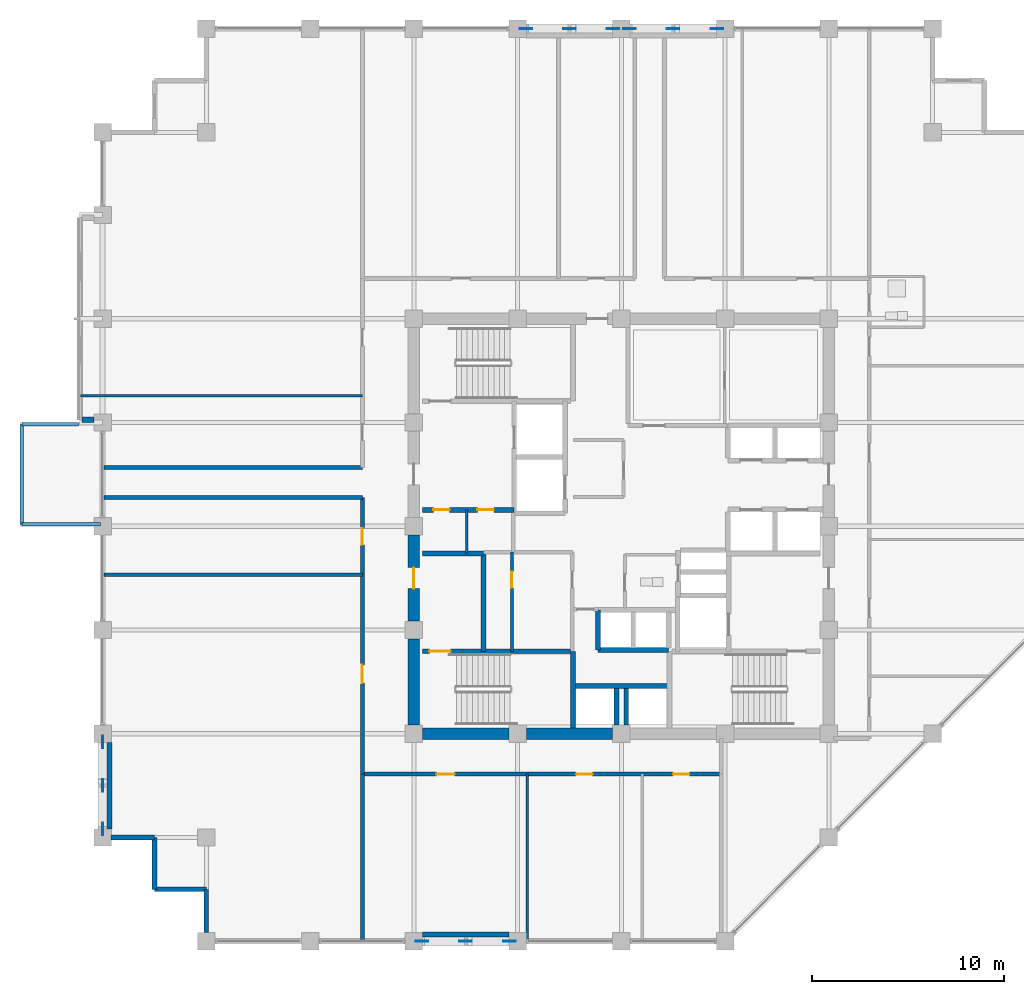
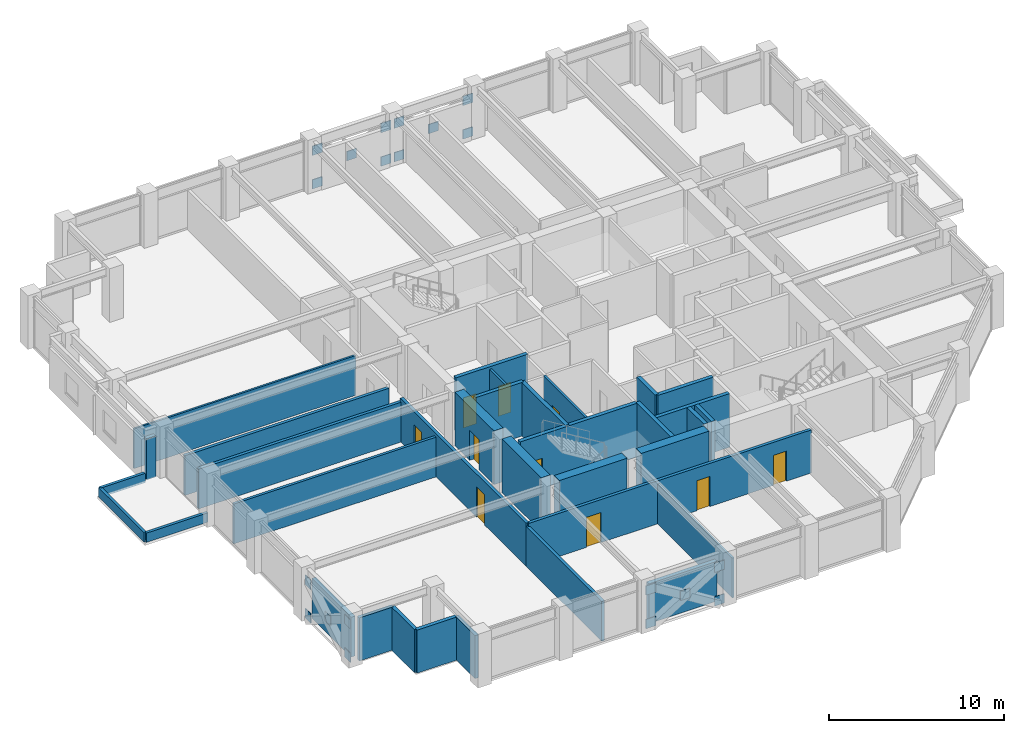
# One storey, part 22 of 28: 34 walls, 20 plates, 10 doors, 10 openings.
"""IFC4 building model written with IfcOpenShell, lengths in metres."""

from ifc_helpers import new_model, si_unit, direction, frame, frame_2d, origin, origin_2d, place, context, subcontext, project, spatial, rectangle, extrude, material, layer, layer_set, type_object, element, fill, save


model = new_model("IFC4")

# Units and contexts
model_context = context("Model", 3, precision=1e-05, world=origin(), true_north=direction((0.0, 1.0)))
body_context = subcontext(model_context, "Body", "Model", "MODEL_VIEW")
ifc_project = project(units=[si_unit("LENGTHUNIT", "METRE"), si_unit("AREAUNIT", "SQUARE_METRE"), si_unit("VOLUMEUNIT", "CUBIC_METRE"), si_unit("PLANEANGLEUNIT", "RADIAN"), si_unit("MASSUNIT", "GRAM", prefix="KILO")], contexts=[model_context])

# Site, building, storey
site_placement = place(None, origin())
site = spatial("IfcSite", under=ifc_project, at=site_placement, CompositionType="ELEMENT")
building_placement = place(site_placement, origin())
building = spatial("IfcBuilding", under=site, at=building_placement, Name="Surkhivell Harbour Commons", CompositionType="ELEMENT")
storey_placement = place(building_placement, frame((0.0, 0.0, 182.25)))
storey = spatial("IfcBuildingStorey", under=building, at=storey_placement, Name="L47", CompositionType="ELEMENT", Elevation=182.25)

# Plates
ifc_material_1 = material(Name="Steel S460", Category="steel")
ifc_layer_1 = layer(ifc_material_1, 0.044921875)
ifc_layer_set_1 = layer_set([ifc_layer_1], Name="Steel S460")
plate_type = type_object("IfcPlateType", Name="PLT-GUS-650", PredefinedType="USERDEFINED", material=ifc_layer_set_1)
for number, where, z_axis, x_axis, name in (
    (1, (-4.965087890625, 25.89990234375, -0.08935546875), (0.0, 0.0, 1.0), (1.0, 0.0, 0.0), "L47 Perimeter Mega-Brace MB- Corner Gusset N-1"),
    (2, (-0.43505859375, 25.89990234375, -0.08935546875), (0.0, 0.0, 1.0), (1.0, 0.0, 0.0), "L47 Perimeter Mega-Brace MB- Corner Gusset N-2"),
    (3, (-4.965087890625, 25.89990234375, 2.25146484375), (0.0, 0.0, 1.0), (1.0, 0.0, 0.0), "L47 Perimeter Mega-Brace MB- Corner Gusset N-3"),
    (4, (-0.43505859375, 25.89990234375, 2.25146484375), (0.0, 0.0, 1.0), (1.0, 0.0, 0.0), "L47 Perimeter Mega-Brace MB- Corner Gusset N-4"),
    (5, (-2.699951171875, 25.89990234375, 1.0810546875), (0.0, 0.0, 1.0), (1.0, 0.0, 0.0), "L47 Perimeter Mega-Brace MB- Central Crossing Gusset N"),
    (6, (0.43505859375, 25.89990234375, -0.08935546875), (0.0, 0.0, 1.0), (1.0, 0.0, 0.0), "L47 Perimeter Mega-Brace MB- Corner Gusset N2-1"),
    (7, (4.965087890625, 25.89990234375, -0.08935546875), (0.0, 0.0, 1.0), (1.0, 0.0, 0.0), "L47 Perimeter Mega-Brace MB- Corner Gusset N2-2"),
    (8, (0.43505859375, 25.89990234375, 2.25146484375), (0.0, 0.0, 1.0), (1.0, 0.0, 0.0), "L47 Perimeter Mega-Brace MB- Corner Gusset N2-3"),
    (9, (4.965087890625, 25.89990234375, 2.25146484375), (0.0, 0.0, 1.0), (1.0, 0.0, 0.0), "L47 Perimeter Mega-Brace MB- Corner Gusset N2-4"),
    (10, (2.699951171875, 25.89990234375, 1.0810546875), (0.0, 0.0, 1.0), (1.0, 0.0, 0.0), "L47 Perimeter Mega-Brace MB- Central Crossing Gusset N2"),
    (11, (-10.364990234375, -21.60009765625, -0.08935546875), (0.0, 0.0, 1.0), (1.0, 0.0, 0.0), "L47 Perimeter Mega-Brace MB- Corner Gusset S-1"),
    (12, (-5.8349609375, -21.60009765625, -0.08935546875), (0.0, 0.0, 1.0), (1.0, 0.0, 0.0), "L47 Perimeter Mega-Brace MB- Corner Gusset S-2"),
    (13, (-10.364990234375, -21.60009765625, 2.25146484375), (0.0, 0.0, 1.0), (1.0, 0.0, 0.0), "L47 Perimeter Mega-Brace MB- Corner Gusset S-3"),
    (14, (-5.8349609375, -21.60009765625, 2.25146484375), (0.0, 0.0, 1.0), (1.0, 0.0, 0.0), "L47 Perimeter Mega-Brace MB- Corner Gusset S-4"),
    (15, (-8.10009765625, -21.60009765625, 1.0810546875), (0.0, 0.0, 1.0), (1.0, 0.0, 0.0), "L47 Perimeter Mega-Brace MB- Central Crossing Gusset S"),
    (16, (-27.0, -15.764892578125, -0.08935546875), (0.0, 0.0, 1.0), (0.0, 1.0, 0.0), "L47 Perimeter Mega-Brace MB- Corner Gusset W-1"),
    (17, (-27.0, -11.235107421875, -0.08935546875), (0.0, 0.0, 1.0), (0.0, 1.0, 0.0), "L47 Perimeter Mega-Brace MB- Corner Gusset W-2"),
    (18, (-27.0, -15.764892578125, 2.25146484375), (0.0, 0.0, 1.0), (0.0, 1.0, 0.0), "L47 Perimeter Mega-Brace MB- Corner Gusset W-3"),
    (19, (-27.0, -11.235107421875, 2.25146484375), (0.0, 0.0, 1.0), (0.0, 1.0, 0.0), "L47 Perimeter Mega-Brace MB- Corner Gusset W-4"),
    (20, (-27.0, -13.5, 1.0810546875), (0.0, 0.0, 1.0), (0.0, 1.0, 0.0), "L47 Perimeter Mega-Brace MB- Central Crossing Gusset W"),
):
    element("IfcPlate", number, at=place(storey_placement, frame(where, z_axis=z_axis, x_axis=x_axis)), inside=storey, type_object=plate_type, Name=name, ObjectType="GUSSET_PLATE", PredefinedType="USERDEFINED", context=body_context, shape_type="SweptSolid", body=[
        extrude(rectangle(XDim=0.64990234375, YDim=0.044921875, at=origin_2d()), origin(), (0.0, 0.0, 1.0), 0.64990234375),
    ])

# Walls
ifc_material_2 = material(Name="Concrete C60/75", Category="concrete")
ifc_layer_2 = layer(ifc_material_2, 0.60009765625)
ifc_layer_set_2 = layer_set([ifc_layer_2], Name="Concrete C60/75")
wall_type_1 = type_object("IfcWallType", Name="WAL-CORE-600", PredefinedType="SHEAR", material=ifc_layer_set_2)
for number, where, z_axis, x_axis, name in (
    (21, (-10.340087890625, -10.800048828125, 0.0), (0.0, 0.0, 1.0), (1.0, 0.0, 0.0), "L47 Core Shear Wall South 1"),
    (22, (-10.800048828125, -10.340087890625, 0.0), (0.0, 0.0, 1.0), (0.0, 1.0, 0.0), "L47 Core Shear Wall West 1"),
    (23, (-4.93994140625, -10.800048828125, 0.0), (0.0, 0.0, 1.0), (1.0, 0.0, 0.0), "L47 Core Shear Wall South 2"),
):
    element("IfcWall", number, at=place(storey_placement, frame(where, z_axis=z_axis, x_axis=x_axis)), inside=storey, type_object=wall_type_1, Name=name, PredefinedType="SHEAR", context=body_context, shape_type="SweptSolid", body=[
        extrude(rectangle(XDim=4.47998046875, YDim=0.60009765625, at=frame_2d((2.239990234375, 0.0))), origin(), (0.0, 0.0, 1.0), 3.75),
    ])

# Wall, opening, door
wall_1_placement = place(storey_placement, frame((-10.800048828125, -4.93994140625, 0.0), z_axis=(0.0, 0.0, 1.0), x_axis=(0.0, 1.0, 0.0)))
wall_1 = element("IfcWall", 24, at=wall_1_placement, inside=storey, type_object=wall_type_1, Name="L47 Core Shear Wall West 2", PredefinedType="SHEAR", context=body_context, shape_type="SweptSolid", body=[
    extrude(rectangle(XDim=4.47998046875, YDim=0.60009765625, at=frame_2d((2.239990234375, 0.0))), origin(), (0.0, 0.0, 1.0), 3.75),
])
opening_1_placement = place(wall_1_placement, frame((1.68994140625, 0.0, 0.0)))
opening_1 = element("IfcOpeningElement", 25, at=opening_1_placement, cuts=wall_1, Name="Opening ID-2", PredefinedType="OPENING", context=body_context, shape_type="SweptSolid", body=[
    extrude(rectangle(XDim=1.10009765625, YDim=2.10009765625, at=frame_2d((0.550048828125, 1.050048828125))), frame((0.0, 0.31005859375, 0.0), z_axis=(0.0, -1.0, 0.0), x_axis=(1.0, 0.0, 0.0)), (0.0, 0.0, 1.0), 0.6201171875),
])
ifc_material_3 = material(Name="Hardwood-veneered fire-rated door leaf", Category="wood")
door_type_1 = type_object("IfcDoorType", Name="DOR-FD60-1100", OperationType="NOTDEFINED", PredefinedType="DOOR", material=ifc_material_3)
door_1_placement = place(opening_1_placement, origin())
door_1 = element("IfcDoor", 26, at=door_1_placement, inside=storey, type_object=door_type_1, Name="L47 Stair 3 Lobby Corridor Door", OperationType="SINGLE_SWING_LEFT", OverallHeight=2.10009765625, OverallWidth=1.10009765625, PredefinedType="DOOR", context=body_context, shape_type="SweptSolid", body=[
    extrude(rectangle(XDim=1.10009765625, YDim=2.10009765625, at=frame_2d((0.550048828125, 1.050048828125))), frame((0.0, 0.02490234375, 0.0), z_axis=(0.0, -1.0, 0.0), x_axis=(1.0, 0.0, 0.0)), (0.0, 0.0, 1.0), 0.050048828125),
])
fill(opening_1, door_1)

# Walls
ifc_material_4 = material(Name="Pale-metal insulated precast concrete C45/55", Category="concrete")
ifc_layer_3 = layer(ifc_material_4, 0.260009765625)
ifc_layer_set_3 = layer_set([ifc_layer_3], Name="Pale-metal insulated precast concrete C45/55")
wall_type_2 = type_object("IfcWallType", Name="WAL-EXT-MTL260", PredefinedType="STANDARD", material=ifc_layer_set_3)
wall_2_placement = place(storey_placement, frame((-10.35205078125, -21.239990234375, 0.0), z_axis=(0.0, 0.0, 1.0), x_axis=(1.0, 0.0, 0.0)))
element("IfcWall", 27, at=wall_2_placement, inside=storey, type_object=wall_type_2, Name="L47 Braced-Bay Insulated Spandrel Backing S", PredefinedType="STANDARD", context=body_context, shape_type="SweptSolid", body=[
    extrude(rectangle(XDim=4.504150390625, YDim=0.260009765625, at=frame_2d((2.251953125, 0.0))), origin(), (0.0, 0.0, 1.0), 2.780029296875),
])
wall_3_placement = place(storey_placement, frame((-26.639892578125, -15.751953125, 0.0), z_axis=(0.0, 0.0, 1.0), x_axis=(0.0, 1.0, 0.0)))
element("IfcWall", 28, at=wall_3_placement, inside=storey, type_object=wall_type_2, Name="L47 Braced-Bay Insulated Spandrel Backing W", PredefinedType="STANDARD", context=body_context, shape_type="SweptSolid", body=[
    extrude(rectangle(XDim=4.50390625, YDim=0.260009765625, at=frame_2d((2.251953125, 0.0))), origin(), (0.0, 0.0, 1.0), 2.780029296875),
])
ifc_material_5 = material(Name="Bronze-ochre cassette precast concrete C45/55", Category="concrete")
ifc_layer_4 = layer(ifc_material_5, 0.239990234375)
ifc_layer_set_4 = layer_set([ifc_layer_4], Name="Bronze-ochre cassette precast concrete C45/55")
wall_type_3 = type_object("IfcWallType", Name="WAL-EXT-OCH240", PredefinedType="STANDARD", material=ifc_layer_set_4)
wall_4_placement = place(storey_placement, frame((-26.552001953125, -16.199951171875, 0.0), z_axis=(0.0, 0.0, 1.0), x_axis=(1.0, 0.0, 0.0)))
element("IfcWall", 29, at=wall_4_placement, inside=storey, type_object=wall_type_3, Name="L47 Serrated Corner Facade Wall 13", PredefinedType="STANDARD", context=body_context, shape_type="SweptSolid", body=[
    extrude(rectangle(XDim=2.251953125, YDim=0.239990234375, at=frame_2d((1.1259765625, 0.0))), origin(), (0.0, 0.0, 1.0), 3.006103515625),
])
for number, where, z_axis, x_axis, name in (
    (30, (-24.300048828125, -16.199951171875, 0.0), (0.0, 0.0, 1.0), (0.0, -1.0, 0.0), "L47 Serrated Corner Facade Wall 14"),
    (31, (-24.300048828125, -18.89990234375, 0.0), (0.0, 0.0, 1.0), (1.0, 0.0, 0.0), "L47 Serrated Corner Facade Wall 15"),
):
    element("IfcWall", number, at=place(storey_placement, frame(where, z_axis=z_axis, x_axis=x_axis)), inside=storey, type_object=wall_type_3, Name=name, PredefinedType="STANDARD", context=body_context, shape_type="SweptSolid", body=[
        extrude(rectangle(XDim=2.699951171875, YDim=0.239990234375, at=frame_2d((1.35009765625, 0.0))), origin(), (0.0, 0.0, 1.0), 3.006103515625),
    ])
wall_5_placement = place(storey_placement, frame((-21.60009765625, -18.89990234375, 0.0), z_axis=(0.0, 0.0, 1.0), x_axis=(0.0, -1.0, 0.0)))
element("IfcWall", 32, at=wall_5_placement, inside=storey, type_object=wall_type_3, Name="L47 Serrated Corner Facade Wall 16", PredefinedType="STANDARD", context=body_context, shape_type="SweptSolid", body=[
    extrude(rectangle(XDim=2.252197265625, YDim=0.239990234375, at=frame_2d((1.1259765625, 0.0))), origin(), (0.0, 0.0, 1.0), 3.006103515625),
])
ifc_material_6 = material(Name="Terracotta-clad reinforced concrete C45/55", Category="masonry")
ifc_layer_5 = layer(ifc_material_6, 0.280029296875)
ifc_layer_set_5 = layer_set([ifc_layer_5], Name="Terracotta-clad reinforced concrete C45/55")
wall_type_4 = type_object("IfcWallType", Name="WAL-EXT-TER280", PredefinedType="STANDARD", material=ifc_layer_set_5)
wall_6_placement = place(storey_placement, frame((-28.06005859375, 5.5400390625, 0.0), z_axis=(0.0, 0.0, 1.0), x_axis=(1.0, 0.0, 0.0)))
element("IfcWall", 33, at=wall_6_placement, inside=storey, type_object=wall_type_4, Name="L47 Coloured Box Return Wall 02S", PredefinedType="STANDARD", context=body_context, shape_type="SweptSolid", body=[
    extrude(rectangle(XDim=0.60595703125, YDim=0.280029296875, at=frame_2d((0.302978515625, 0.0))), origin(), (0.0, 0.0, 1.0), 2.85693359375),
])
ifc_material_7 = material(Name="Moisture-resistant acoustic stud partition", Category="other")
ifc_layer_6 = layer(ifc_material_7, 0.125)
ifc_layer_set_6 = layer_set([ifc_layer_6], Name="Moisture-resistant acoustic stud partition")
wall_type_5 = type_object("IfcWallType", Name="WAL-INT-125", PredefinedType="PARTITIONING", material=ifc_layer_set_6)
wall_7_placement = place(storey_placement, frame((-4.889892578125, -21.5400390625, 0.0), z_axis=(0.0, 0.0, 1.0), x_axis=(0.0, 1.0, 0.0)))
element("IfcWall", 34, at=wall_7_placement, inside=storey, type_object=wall_type_5, Name="L47 South Partition P1", PredefinedType="PARTITIONING", context=body_context, shape_type="SweptSolid", body=[
    extrude(rectangle(XDim=8.64013671875, YDim=0.125, at=frame_2d((4.320068359375, 0.0))), origin(), (0.0, 0.0, 1.0), 2.780029296875),
])
wall_8_placement = place(storey_placement, frame((-28.139892578125, 6.7900390625, 0.0), z_axis=(0.0, 0.0, 1.0), x_axis=(1.0, 0.0, 0.0)))
element("IfcWall", 35, at=wall_8_placement, inside=storey, type_object=wall_type_5, Name="L47 North-West Partition P1", PredefinedType="PARTITIONING", context=body_context, shape_type="SweptSolid", body=[
    extrude(rectangle(XDim=14.659912109375, YDim=0.125, at=frame_2d((7.330078125, 0.0))), origin(), (0.0, 0.0, 1.0), 2.780029296875),
])

# Wall, opening, door
ifc_material_8 = material(Name="Twin-stud acoustic fireboard partition", Category="other")
ifc_layer_7 = layer(ifc_material_8, 0.14990234375)
ifc_layer_set_7 = layer_set([ifc_layer_7], Name="Twin-stud acoustic fireboard partition")
wall_type_6 = type_object("IfcWallType", Name="WAL-INT-150", PredefinedType="PARTITIONING", material=ifc_layer_set_7)
wall_9_placement = place(storey_placement, frame((-5.699951171875, -6.510009765625, 0.0), z_axis=(0.0, 0.0, 1.0), x_axis=(0.0, 1.0, 0.0)))
wall_9 = element("IfcWall", 36, at=wall_9_placement, inside=storey, type_object=wall_type_6, Name="L47 Core Cut B Partition", PredefinedType="PARTITIONING", context=body_context, shape_type="SweptSolid", body=[
    extrude(rectangle(XDim=5.159912109375, YDim=0.14990234375, at=frame_2d((2.580078125, 0.0))), origin(), (0.0, 0.0, 1.0), 3.570068359375),
])
opening_2_placement = place(wall_9_placement, frame((3.300048828125, 0.0, 0.0)))
opening_2 = element("IfcOpeningElement", 37, at=opening_2_placement, cuts=wall_9, Name="Opening ID-6", PredefinedType="OPENING", context=body_context, shape_type="SweptSolid", body=[
    extrude(rectangle(XDim=0.85009765625, YDim=2.10009765625, at=frame_2d((0.425048828125, 1.050048828125))), frame((0.0, 0.0849609375, 0.0), z_axis=(0.0, -1.0, 0.0), x_axis=(1.0, 0.0, 0.0)), (0.0, 0.0, 1.0), 0.169921875),
])
door_type_2 = type_object("IfcDoorType", Name="DOR-FD30-850", OperationType="NOTDEFINED", PredefinedType="DOOR", material=ifc_material_3)
door_2_placement = place(opening_2_placement, origin())
door_2 = element("IfcDoor", 38, at=door_2_placement, inside=storey, type_object=door_type_2, Name="L47 Core Focus Study Door", OperationType="SINGLE_SWING_RIGHT", OverallHeight=2.10009765625, OverallWidth=0.85009765625, PredefinedType="DOOR", context=body_context, shape_type="SweptSolid", body=[
    extrude(rectangle(XDim=0.85009765625, YDim=2.10009765625, at=frame_2d((0.425048828125, 1.050048828125))), frame((0.0, 0.02490234375, 0.0), z_axis=(0.0, -1.0, 0.0), x_axis=(1.0, 0.0, 0.0)), (0.0, 0.0, 1.0), 0.050048828125),
])
fill(opening_2, door_2)

# Walls
wall_10_placement = place(storey_placement, frame((-8.050048828125, -1.419921875, 0.0), z_axis=(0.0, 0.0, 1.0), x_axis=(0.0, 1.0, 0.0)))
element("IfcWall", 39, at=wall_10_placement, inside=storey, type_object=wall_type_6, Name="L47 West Seminar Booth Divider", PredefinedType="PARTITIONING", context=body_context, shape_type="SweptSolid", body=[
    extrude(rectangle(XDim=2.27001953125, YDim=0.14990234375, at=frame_2d((1.135009765625, 0.0))), origin(), (0.0, 0.0, 1.0), 3.570068359375),
])
ifc_material_9 = material(Name="High-density acoustic blockwork fire partition", Category="masonry")
ifc_layer_8 = layer(ifc_material_9, 0.175048828125)
ifc_layer_set_8 = layer_set([ifc_layer_8], Name="High-density acoustic blockwork fire partition")
wall_type_7 = type_object("IfcWallType", Name="WAL-INT-175", PredefinedType="PARTITIONING", material=ifc_layer_set_8)
wall_11_placement = place(storey_placement, frame((-26.93994140625, -2.530029296875, 0.0), z_axis=(0.0, 0.0, 1.0), x_axis=(1.0, 0.0, 0.0)))
element("IfcWall", 40, at=wall_11_placement, inside=storey, type_object=wall_type_7, Name="L47 South-West Partition P1", PredefinedType="PARTITIONING", context=body_context, shape_type="SweptSolid", body=[
    extrude(rectangle(XDim=13.4599609375, YDim=0.175048828125, at=frame_2d((6.72998046875, 0.0))), origin(), (0.0, 0.0, 1.0), 2.780029296875),
])
ifc_material_10 = material(Name="Autoclaved aerated concrete blockwork and fire plaster", Category="masonry")
ifc_layer_9 = layer(ifc_material_10, 0.199951171875)
ifc_layer_set_9 = layer_set([ifc_layer_9], Name="Autoclaved aerated concrete blockwork and fire plaster")
wall_type_8 = type_object("IfcWallType", Name="WAL-INT-200", PredefinedType="PARTITIONING", material=ifc_layer_set_9)
wall_12_placement = place(storey_placement, frame((-13.47998046875, -21.5400390625, 0.0), z_axis=(0.0, 0.0, 1.0), x_axis=(0.0, 1.0, 0.0)))
element("IfcWall", 41, at=wall_12_placement, inside=storey, type_object=wall_type_8, Name="L47 South-West Corner Wall", PredefinedType="PARTITIONING", context=body_context, shape_type="SweptSolid", body=[
    extrude(rectangle(XDim=8.64013671875, YDim=0.199951171875, at=frame_2d((4.320068359375, 0.0))), origin(), (0.0, 0.0, 1.0), 2.780029296875),
])

# Wall, openings, doors
wall_13_placement = place(storey_placement, frame((-13.47998046875, -12.89990234375, 0.0), z_axis=(0.0, 0.0, 1.0), x_axis=(1.0, 0.0, 0.0)))
wall_13 = element("IfcWall", 42, at=wall_13_placement, inside=storey, type_object=wall_type_8, Name="L47 Corridor South Wall", PredefinedType="PARTITIONING", context=body_context, shape_type="SweptSolid", body=[
    extrude(rectangle(XDim=18.679931640625, YDim=0.199951171875, at=frame_2d((9.33984375, 0.0))), origin(), (0.0, 0.0, 1.0), 3.006103515625),
])
opening_3_placement = place(wall_13_placement, frame((3.844970703125, 0.0, 0.0)))
opening_3 = element("IfcOpeningElement", 43, at=opening_3_placement, cuts=wall_13, Name="Opening ID-4", PredefinedType="OPENING", context=body_context, shape_type="SweptSolid", body=[
    extrude(rectangle(XDim=0.949951171875, YDim=2.10009765625, at=frame_2d((0.47509765625, 1.050048828125))), frame((0.0, 0.10986328125, 0.0), z_axis=(0.0, -1.0, 0.0), x_axis=(1.0, 0.0, 0.0)), (0.0, 0.0, 1.0), 0.219970703125),
])
opening_4_placement = place(wall_13_placement, frame((11.1298828125, 0.0, 0.0)))
opening_4 = element("IfcOpeningElement", 44, at=opening_4_placement, cuts=wall_13, Name="Opening ID-6", PredefinedType="OPENING", context=body_context, shape_type="SweptSolid", body=[
    extrude(rectangle(XDim=0.85009765625, YDim=2.10009765625, at=frame_2d((0.425048828125, 1.050048828125))), frame((0.0, 0.10986328125, 0.0), z_axis=(0.0, -1.0, 0.0), x_axis=(1.0, 0.0, 0.0)), (0.0, 0.0, 1.0), 0.219970703125),
])
opening_5_placement = place(wall_13_placement, frame((16.175048828125, 0.0, 0.0)))
opening_5 = element("IfcOpeningElement", 45, at=opening_5_placement, cuts=wall_13, Name="Opening ID-6", PredefinedType="OPENING", context=body_context, shape_type="SweptSolid", body=[
    extrude(rectangle(XDim=0.85009765625, YDim=2.10009765625, at=frame_2d((0.425048828125, 1.050048828125))), frame((0.0, 0.10986328125, 0.0), z_axis=(0.0, -1.0, 0.0), x_axis=(1.0, 0.0, 0.0)), (0.0, 0.0, 1.0), 0.219970703125),
])
door_3_placement = place(opening_4_placement, origin())
door_3 = element("IfcDoor", 46, at=door_3_placement, inside=storey, type_object=door_type_2, Name="L47 Resident Social Lounge 2 South Door", OperationType="SINGLE_SWING_LEFT", OverallHeight=2.10009765625, OverallWidth=0.85009765625, PredefinedType="DOOR", context=body_context, shape_type="SweptSolid", body=[
    extrude(rectangle(XDim=0.85009765625, YDim=2.10009765625, at=frame_2d((0.425048828125, 1.050048828125))), frame((0.0, 0.02490234375, 0.0), z_axis=(0.0, -1.0, 0.0), x_axis=(1.0, 0.0, 0.0)), (0.0, 0.0, 1.0), 0.050048828125),
])
fill(opening_4, door_3)
door_4_placement = place(opening_5_placement, origin())
door_4 = element("IfcDoor", 47, at=door_4_placement, inside=storey, type_object=door_type_2, Name="L47 Resident Social Lounge 3 South Door", OperationType="SINGLE_SWING_RIGHT", OverallHeight=2.10009765625, OverallWidth=0.85009765625, PredefinedType="DOOR", context=body_context, shape_type="SweptSolid", body=[
    extrude(rectangle(XDim=0.85009765625, YDim=2.10009765625, at=frame_2d((0.425048828125, 1.050048828125))), frame((0.0, 0.02490234375, 0.0), z_axis=(0.0, -1.0, 0.0), x_axis=(1.0, 0.0, 0.0)), (0.0, 0.0, 1.0), 0.050048828125),
])
fill(opening_5, door_4)
door_type_3 = type_object("IfcDoorType", Name="DOR-FD60-950", OperationType="NOTDEFINED", PredefinedType="DOOR", material=ifc_material_3)
door_5_placement = place(opening_3_placement, origin())
door_5 = element("IfcDoor", 48, at=door_5_placement, inside=storey, type_object=door_type_3, Name="L47 Resident Social Lounge 1 South Door", OperationType="SINGLE_SWING_RIGHT", OverallHeight=2.10009765625, OverallWidth=0.949951171875, PredefinedType="DOOR", context=body_context, shape_type="SweptSolid", body=[
    extrude(rectangle(XDim=0.949951171875, YDim=2.10009765625, at=frame_2d((0.47509765625, 1.050048828125))), frame((0.0, 0.02490234375, 0.0), z_axis=(0.0, -1.0, 0.0), x_axis=(1.0, 0.0, 0.0)), (0.0, 0.0, 1.0), 0.050048828125),
])
fill(opening_3, door_5)

# Walls
for number, where, z_axis, x_axis, name in (
    (49, (-26.93994140625, 3.050048828125, 0.0), (0.0, 0.0, 1.0), (1.0, 0.0, 0.0), "L47 West Spur North Wall"),
    (50, (-26.93994140625, 1.5, 0.0), (0.0, 0.0, 1.0), (1.0, 0.0, 0.0), "L47 West Spur South Wall"),
):
    element("IfcWall", number, at=place(storey_placement, frame(where, z_axis=z_axis, x_axis=x_axis)), inside=storey, type_object=wall_type_8, Name=name, PredefinedType="PARTITIONING", context=body_context, shape_type="SweptSolid", body=[
        extrude(rectangle(XDim=13.4599609375, YDim=0.199951171875, at=frame_2d((6.72998046875, 0.0))), origin(), (0.0, 0.0, 1.0), 2.780029296875),
    ])

# Wall, openings, doors
wall_14_placement = place(storey_placement, frame((-13.47998046875, -12.89990234375, 0.0), z_axis=(0.0, 0.0, 1.0), x_axis=(0.0, 1.0, 0.0)))
wall_14 = element("IfcWall", 51, at=wall_14_placement, inside=storey, type_object=wall_type_8, Name="L47 Corridor West-Lower Wall", PredefinedType="PARTITIONING", context=body_context, shape_type="SweptSolid", body=[
    extrude(rectangle(XDim=14.39990234375, YDim=0.199951171875, at=frame_2d((7.199951171875, 0.0))), origin(), (0.0, 0.0, 1.0), 3.006103515625),
])
opening_6_placement = place(wall_14_placement, frame((4.735107421875, 0.0, 0.0)))
opening_6 = element("IfcOpeningElement", 52, at=opening_6_placement, cuts=wall_14, Name="Opening ID-4", PredefinedType="OPENING", context=body_context, shape_type="SweptSolid", body=[
    extrude(rectangle(XDim=0.949951171875, YDim=2.10009765625, at=frame_2d((0.47509765625, 1.050048828125))), frame((0.0, 0.10986328125, 0.0), z_axis=(0.0, -1.0, 0.0), x_axis=(1.0, 0.0, 0.0)), (0.0, 0.0, 1.0), 0.219970703125),
])
opening_7_placement = place(wall_14_placement, frame((11.93505859375, 0.0, 0.0)))
opening_7 = element("IfcOpeningElement", 53, at=opening_7_placement, cuts=wall_14, Name="Opening ID-6", PredefinedType="OPENING", context=body_context, shape_type="SweptSolid", body=[
    extrude(rectangle(XDim=0.85009765625, YDim=2.10009765625, at=frame_2d((0.425048828125, 1.050048828125))), frame((0.0, 0.10986328125, 0.0), z_axis=(0.0, -1.0, 0.0), x_axis=(1.0, 0.0, 0.0)), (0.0, 0.0, 1.0), 0.219970703125),
])
door_6_placement = place(opening_7_placement, origin())
door_6 = element("IfcDoor", 54, at=door_6_placement, inside=storey, type_object=door_type_2, Name="L47 Resident Advisory Reception Desk South-West Door", OperationType="SINGLE_SWING_RIGHT", OverallHeight=2.10009765625, OverallWidth=0.85009765625, PredefinedType="DOOR", context=body_context, shape_type="SweptSolid", body=[
    extrude(rectangle(XDim=0.85009765625, YDim=2.10009765625, at=frame_2d((0.425048828125, 1.050048828125))), frame((0.0, 0.02490234375, 0.0), z_axis=(0.0, -1.0, 0.0), x_axis=(1.0, 0.0, 0.0)), (0.0, 0.0, 1.0), 0.050048828125),
])
fill(opening_7, door_6)
door_7_placement = place(opening_6_placement, origin())
door_7 = element("IfcDoor", 55, at=door_7_placement, inside=storey, type_object=door_type_3, Name="L47 Zone Concierge Reception Foyer South-West Door", OperationType="SINGLE_SWING_LEFT", OverallHeight=2.10009765625, OverallWidth=0.949951171875, PredefinedType="DOOR", context=body_context, shape_type="SweptSolid", body=[
    extrude(rectangle(XDim=0.949951171875, YDim=2.10009765625, at=frame_2d((0.47509765625, 1.050048828125))), frame((0.0, 0.02490234375, 0.0), z_axis=(0.0, -1.0, 0.0), x_axis=(1.0, 0.0, 0.0)), (0.0, 0.0, 1.0), 0.050048828125),
])
fill(opening_6, door_7)

# Walls
ifc_material_11 = material(Name="Anodised aluminium and precast concrete C40/50", Category="concrete")
ifc_layer_10 = layer(ifc_material_11, 0.18505859375)
ifc_layer_set_10 = layer_set([ifc_layer_10], Name="Anodised aluminium and precast concrete C40/50")
wall_type_9 = type_object("IfcWallType", Name="WAL-PAR-185", PredefinedType="PARAPET", material=ifc_layer_set_10)
wall_15_placement = place(storey_placement, frame((-28.2666015625, 5.300048828125, 0.0), z_axis=(0.0, 0.0, 1.0), x_axis=(-1.0, 0.0, 0.0)))
element("IfcWall", 56, at=wall_15_placement, inside=storey, type_object=wall_type_9, Name="L47 Box Roof Coping Parapet 2-1", PredefinedType="PARAPET", context=body_context, shape_type="SweptSolid", body=[
    extrude(rectangle(XDim=2.933349609375, YDim=0.18505859375, at=frame_2d((1.466796875, 0.0))), origin(), (0.0, 0.0, 1.0), 0.64990234375),
])
wall_16_placement = place(storey_placement, frame((-31.199951171875, 5.300048828125, 0.0), z_axis=(0.0, 0.0, 1.0), x_axis=(0.0, -1.0, 0.0)))
element("IfcWall", 57, at=wall_16_placement, inside=storey, type_object=wall_type_9, Name="L47 Box Roof Coping Parapet 2-2", PredefinedType="PARAPET", context=body_context, shape_type="SweptSolid", body=[
    extrude(rectangle(XDim=5.199951171875, YDim=0.18505859375, at=frame_2d((2.60009765625, 0.0))), origin(), (0.0, 0.0, 1.0), 0.64990234375),
])
wall_17_placement = place(storey_placement, frame((-31.199951171875, 0.10009765625, 0.0), z_axis=(0.0, 0.0, 1.0), x_axis=(1.0, 0.0, 0.0)))
element("IfcWall", 58, at=wall_17_placement, inside=storey, type_object=wall_type_9, Name="L47 Box Roof Coping Parapet 2-3", PredefinedType="PARAPET", context=body_context, shape_type="SweptSolid", body=[
    extrude(rectangle(XDim=4.079833984375, YDim=0.18505859375, at=frame_2d((2.0400390625, 0.0))), origin(), (0.0, 0.0, 1.0), 0.64990234375),
])

# Wall, openings, doors
ifc_material_12 = material(Name="Concrete C50/60", Category="concrete")
ifc_layer_11 = layer(ifc_material_12, 0.25)
ifc_layer_set_11 = layer_set([ifc_layer_11], Name="Concrete C50/60")
wall_type_10 = type_object("IfcWallType", Name="WAL-SHAFT-250", PredefinedType="SHEAR", material=ifc_layer_set_11)
wall_18_placement = place(storey_placement, frame((-10.340087890625, 0.85009765625, 0.0), z_axis=(0.0, 0.0, 1.0), x_axis=(1.0, 0.0, 0.0)))
wall_18 = element("IfcWall", 59, at=wall_18_placement, inside=storey, type_object=wall_type_10, Name="L47 Firefighting Lobby 1 South Wall", PredefinedType="SHEAR", context=body_context, shape_type="SweptSolid", body=[
    extrude(rectangle(XDim=4.760009765625, YDim=0.25, at=frame_2d((2.3798828125, 0.0))), origin(), (0.0, 0.0, 1.0), 3.75),
])
opening_8_placement = place(wall_18_placement, frame((0.550048828125, 0.0, 0.0)))
opening_8 = element("IfcOpeningElement", 60, at=opening_8_placement, cuts=wall_18, Name="Opening ID-6", PredefinedType="OPENING", context=body_context, shape_type="SweptSolid", body=[
    extrude(rectangle(XDim=0.85009765625, YDim=2.10009765625, at=frame_2d((0.425048828125, 1.050048828125))), frame((0.0, 0.135009765625, 0.0), z_axis=(0.0, -1.0, 0.0), x_axis=(1.0, 0.0, 0.0)), (0.0, 0.0, 1.0), 0.27001953125),
])
opening_9_placement = place(wall_18_placement, frame((2.85009765625, 0.0, 0.0)))
opening_9 = element("IfcOpeningElement", 61, at=opening_9_placement, cuts=wall_18, Name="Opening ID-6", PredefinedType="OPENING", context=body_context, shape_type="SweptSolid", body=[
    extrude(rectangle(XDim=0.85009765625, YDim=2.10009765625, at=frame_2d((0.425048828125, 1.050048828125))), frame((0.0, 0.135009765625, 0.0), z_axis=(0.0, -1.0, 0.0), x_axis=(1.0, 0.0, 0.0)), (0.0, 0.0, 1.0), 0.27001953125),
])
door_8_placement = place(opening_8_placement, origin())
door_8 = element("IfcDoor", 62, at=door_8_placement, inside=storey, type_object=door_type_2, Name="L47 West Seminar 1 Door", OperationType="SINGLE_SWING_LEFT", OverallHeight=2.10009765625, OverallWidth=0.85009765625, PredefinedType="DOOR", context=body_context, shape_type="SweptSolid", body=[
    extrude(rectangle(XDim=0.85009765625, YDim=2.10009765625, at=frame_2d((0.425048828125, 1.050048828125))), frame((0.0, 0.02490234375, 0.0), z_axis=(0.0, -1.0, 0.0), x_axis=(1.0, 0.0, 0.0)), (0.0, 0.0, 1.0), 0.050048828125),
])
fill(opening_8, door_8)
door_9_placement = place(opening_9_placement, origin())
door_9 = element("IfcDoor", 63, at=door_9_placement, inside=storey, type_object=door_type_2, Name="L47 West Seminar 2 Door", OperationType="SINGLE_SWING_RIGHT", OverallHeight=2.10009765625, OverallWidth=0.85009765625, PredefinedType="DOOR", context=body_context, shape_type="SweptSolid", body=[
    extrude(rectangle(XDim=0.85009765625, YDim=2.10009765625, at=frame_2d((0.425048828125, 1.050048828125))), frame((0.0, 0.02490234375, 0.0), z_axis=(0.0, -1.0, 0.0), x_axis=(1.0, 0.0, 0.0)), (0.0, 0.0, 1.0), 0.050048828125),
])
fill(opening_9, door_9)

# Walls
for number, where, z_axis, x_axis, name in (
    (64, (-0.25, -10.35009765625, 0.0), (0.0, 0.0, 1.0), (0.0, 1.0, 0.0), "L47 High-Rise Side Wall S"),
    (65, (0.25, -10.35009765625, 0.0), (0.0, 0.0, 1.0), (0.0, 1.0, 0.0), "L47 High-Rise Side Wall S"),
):
    element("IfcWall", number, at=place(storey_placement, frame(where, z_axis=z_axis, x_axis=x_axis)), inside=storey, type_object=wall_type_10, Name=name, PredefinedType="SHEAR", context=body_context, shape_type="SweptSolid", body=[
        extrude(rectangle(XDim=1.91015625, YDim=0.25, at=frame_2d((0.955078125, 0.0))), origin(), (0.0, 0.0, 1.0), 3.75),
    ])
wall_19_placement = place(storey_placement, frame((-1.219970703125, -6.43994140625, 0.0), z_axis=(0.0, 0.0, 1.0), x_axis=(0.0, 1.0, 0.0)))
element("IfcWall", 66, at=wall_19_placement, inside=storey, type_object=wall_type_10, Name="L47 High-Rise Passage East Shaft Wall", PredefinedType="SHEAR", context=body_context, shape_type="SweptSolid", body=[
    extrude(rectangle(XDim=2.079833984375, YDim=0.25, at=frame_2d((1.0400390625, 0.0))), origin(), (0.0, 0.0, 1.0), 3.75),
])
wall_20_placement = place(storey_placement, frame((-1.219970703125, -6.43994140625, 0.0), z_axis=(0.0, 0.0, 1.0), x_axis=(1.0, 0.0, 0.0)))
element("IfcWall", 67, at=wall_20_placement, inside=storey, type_object=wall_type_10, Name="L47 High-Rise North Front Shaft Wall", PredefinedType="SHEAR", context=body_context, shape_type="SweptSolid", body=[
    extrude(rectangle(XDim=3.669921875, YDim=0.25, at=frame_2d((1.8349609375, 0.0))), origin(), (0.0, 0.0, 1.0), 3.75),
])
wall_21_placement = place(storey_placement, frame((-2.47998046875, -8.320068359375, 0.0), z_axis=(0.0, 0.0, 1.0), x_axis=(1.0, 0.0, 0.0)))
element("IfcWall", 68, at=wall_21_placement, inside=storey, type_object=wall_type_10, Name="L47 High-Rise South Front Shaft Wall", PredefinedType="SHEAR", context=body_context, shape_type="SweptSolid", body=[
    extrude(rectangle(XDim=4.929931640625, YDim=0.25, at=frame_2d((2.46484375, 0.0))), origin(), (0.0, 0.0, 1.0), 3.75),
])
wall_22_placement = place(storey_placement, frame((-2.510009765625, -10.5, 0.0), z_axis=(0.0, 0.0, 1.0), x_axis=(0.0, 1.0, 0.0)))
element("IfcWall", 69, at=wall_22_placement, inside=storey, type_object=wall_type_10, Name="L47 Stair ST3 East Shear Wall", PredefinedType="SHEAR", context=body_context, shape_type="SweptSolid", body=[
    extrude(rectangle(XDim=3.989990234375, YDim=0.25, at=frame_2d((1.9951171875, 0.0))), origin(), (0.0, 0.0, 1.0), 3.75),
])
wall_23_placement = place(storey_placement, frame((-7.179931640625, -6.510009765625, 0.0), z_axis=(0.0, 0.0, 1.0), x_axis=(0.0, 1.0, 0.0)))
element("IfcWall", 70, at=wall_23_placement, inside=storey, type_object=wall_type_10, Name="L47 Stair 3 Lobby East Wall", PredefinedType="SHEAR", context=body_context, shape_type="SweptSolid", body=[
    extrude(rectangle(XDim=5.090087890625, YDim=0.25, at=frame_2d((2.544921875, 0.0))), origin(), (0.0, 0.0, 1.0), 3.75),
])
wall_24_placement = place(storey_placement, frame((-10.340087890625, -1.419921875, 0.0), z_axis=(0.0, 0.0, 1.0), x_axis=(1.0, 0.0, 0.0)))
element("IfcWall", 71, at=wall_24_placement, inside=storey, type_object=wall_type_10, Name="L47 Stair 3 Lobby North Wall", PredefinedType="SHEAR", context=body_context, shape_type="SweptSolid", body=[
    extrude(rectangle(XDim=3.16015625, YDim=0.25, at=frame_2d((1.580078125, 0.0))), origin(), (0.0, 0.0, 1.0), 3.75),
])

# Wall, opening, door
wall_25_placement = place(storey_placement, frame((-10.340087890625, -6.510009765625, 0.0), z_axis=(0.0, 0.0, 1.0), x_axis=(1.0, 0.0, 0.0)))
wall_25 = element("IfcWall", 72, at=wall_25_placement, inside=storey, type_object=wall_type_10, Name="L47 Stair ST3 North Shear Wall", PredefinedType="SHEAR", context=body_context, shape_type="SweptSolid", body=[
    extrude(rectangle(XDim=7.7001953125, YDim=0.25, at=frame_2d((3.85009765625, 0.0))), origin(), (0.0, 0.0, 1.0), 3.75),
])
opening_10_placement = place(wall_25_placement, frame((0.35009765625, 0.0, 0.0)))
opening_10 = element("IfcOpeningElement", 73, at=opening_10_placement, cuts=wall_25, Name="Opening ID-2", PredefinedType="OPENING", context=body_context, shape_type="SweptSolid", body=[
    extrude(rectangle(XDim=1.10009765625, YDim=2.10009765625, at=frame_2d((0.550048828125, 1.050048828125))), frame((0.0, 0.135009765625, 0.0), z_axis=(0.0, -1.0, 0.0), x_axis=(1.0, 0.0, 0.0)), (0.0, 0.0, 1.0), 0.27001953125),
])
door_10_placement = place(opening_10_placement, origin())
door_10 = element("IfcDoor", 74, at=door_10_placement, inside=storey, type_object=door_type_1, Name="L47 Stair ST3 Exit Door", OperationType="SINGLE_SWING_RIGHT", OverallHeight=2.10009765625, OverallWidth=1.10009765625, PredefinedType="DOOR", context=body_context, shape_type="SweptSolid", body=[
    extrude(rectangle(XDim=1.10009765625, YDim=2.10009765625, at=frame_2d((0.550048828125, 1.050048828125))), frame((0.0, 0.02490234375, 0.0), z_axis=(0.0, -1.0, 0.0), x_axis=(1.0, 0.0, 0.0)), (0.0, 0.0, 1.0), 0.050048828125),
])
fill(opening_10, door_10)

save(model, "model.ifc")
